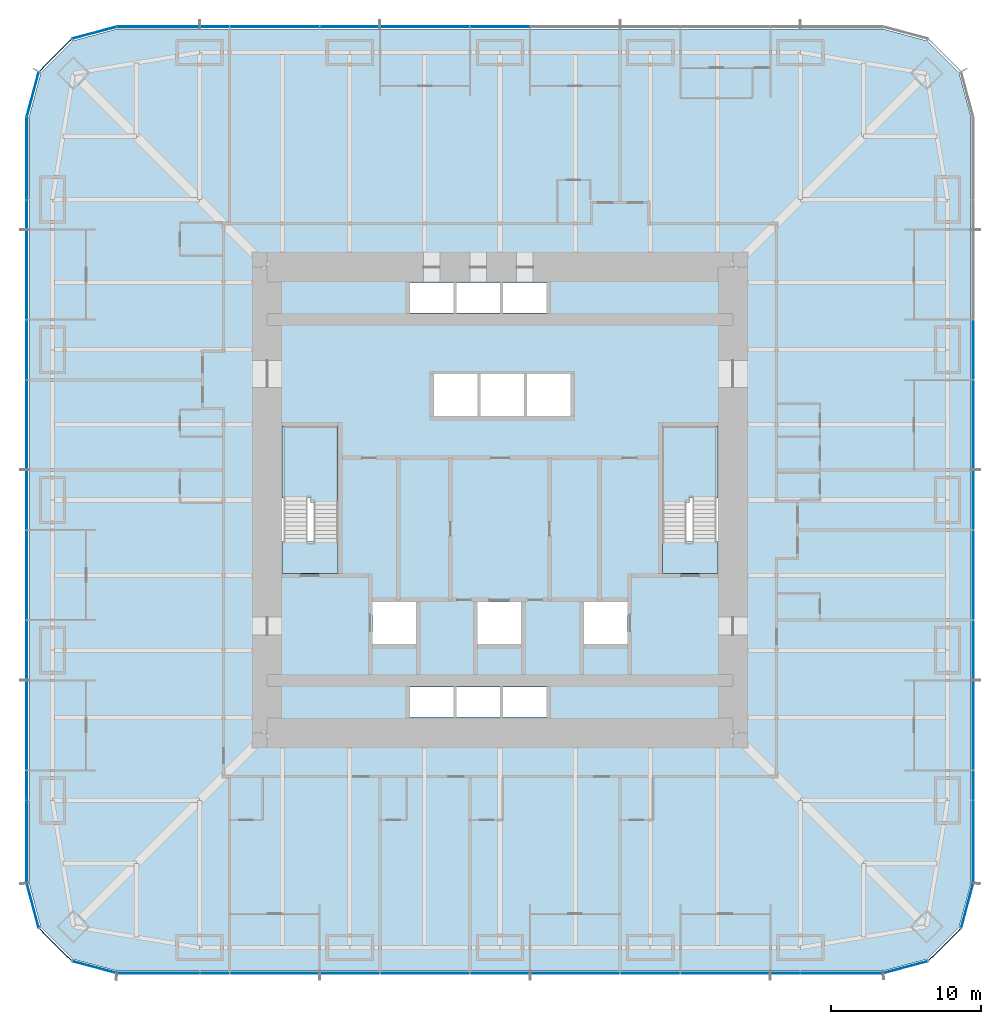
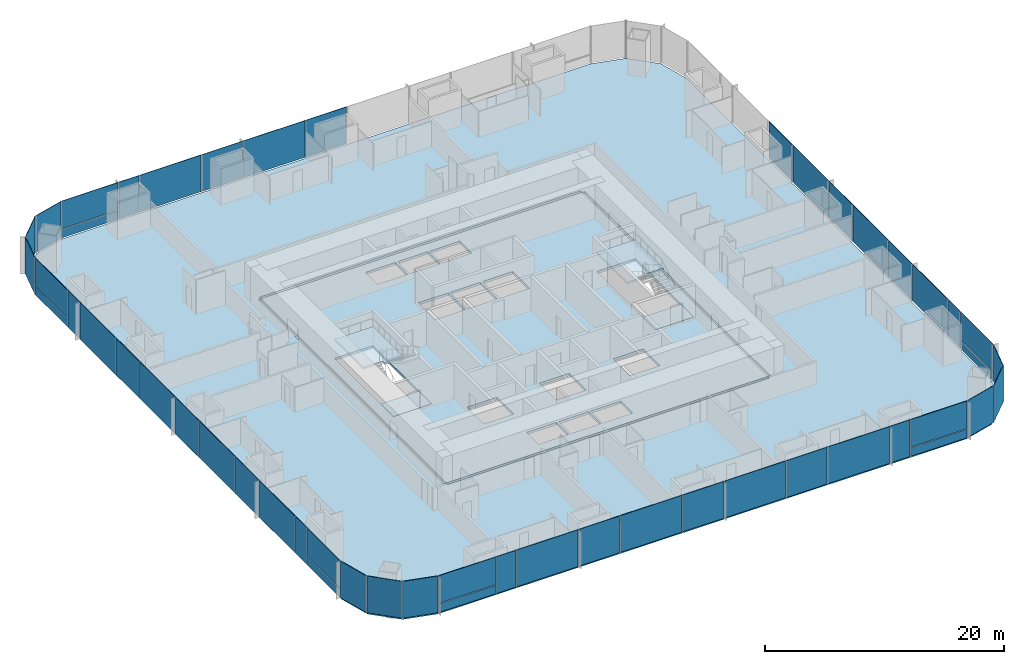
# One storey, part 10 of 16: 51 plates, 6 slabs, 9 elements without a shape of their own.
"""IFC4 building model written with IfcOpenShell, lengths in metres."""

from ifc_helpers import new_model, si_unit, direction, frame, origin, origin_2d, place, context, subcontext, project, spatial, polyline, rectangle, outline, extrude, material, layer, layer_set, type_object, element, aggregate, save


model = new_model("IFC4")

# Units and contexts
model_context = context("Model", 3, precision=1e-05, world=origin(), true_north=direction((0.0, 1.0)))
body_context = subcontext(model_context, "Body", "Model", "MODEL_VIEW")
ifc_project = project(units=[si_unit("LENGTHUNIT", "METRE"), si_unit("AREAUNIT", "SQUARE_METRE"), si_unit("VOLUMEUNIT", "CUBIC_METRE"), si_unit("PLANEANGLEUNIT", "RADIAN"), si_unit("MASSUNIT", "GRAM", prefix="KILO")], contexts=[model_context])

# Site, building, storey
site_placement = place(None, origin())
site = spatial("IfcSite", under=ifc_project, at=site_placement, CompositionType="ELEMENT")
building_placement = place(site_placement, origin())
building = spatial("IfcBuilding", under=site, at=building_placement, Name="Khuree Lantern Residences", CompositionType="ELEMENT")
storey_placement = place(building_placement, frame((0.0, 0.0, 62.25)))
storey = spatial("IfcBuildingStorey", under=building, at=storey_placement, Name="L15", CompositionType="ELEMENT", Elevation=62.25)

# Slab
ifc_material_1 = material(Name="Concrete C35/45", Category="concrete")
ifc_layer_1 = layer(ifc_material_1, 0.25)
ifc_layer_set_1 = layer_set([ifc_layer_1], Name="CFL250 CORE FLOOR SLAB 250")
slab_type_1 = type_object("IfcSlabType", Name="CFL250 CORE FLOOR SLAB 250", PredefinedType="FLOOR", material=ifc_layer_set_1)
slab_1_placement = place(storey_placement, frame((0.0, 0.0, -0.25)))
element("IfcSlab", 1, at=slab_1_placement, inside=storey, type_object=slab_type_1, Name="Core floor L15", PredefinedType="FLOOR", context=body_context, shape_type="SweptSolid", body=[
    extrude(outline(polyline([(-15.5, -15.5), (-15.5, 15.5), (15.5, 15.5), (15.5, -15.5), (-15.5, -15.5)]), holes=[polyline([(14.5, 4.89990234375), (10.800048828125, 4.89990234375), (10.800048828125, -4.89990234375), (14.5, -4.89990234375), (14.5, 4.89990234375)]), polyline([(8.5, -6.800048828125), (5.60009765625, -6.800048828125), (5.60009765625, -9.60009765625), (8.5, -9.60009765625), (8.5, -6.800048828125)]), polyline([(4.699951171875, 8.39990234375), (1.800048828125, 8.39990234375), (1.800048828125, 5.60009765625), (4.699951171875, 5.60009765625), (4.699951171875, 8.39990234375)]), polyline([(0.199951171875, -12.449951171875), (0.199951171875, -14.449951171875), (3.10009765625, -14.449951171875), (3.10009765625, -12.449951171875), (0.199951171875, -12.449951171875)]), polyline([(3.10009765625, 14.449951171875), (0.199951171875, 14.449951171875), (0.199951171875, 12.449951171875), (3.10009765625, 12.449951171875), (3.10009765625, 14.449951171875)]), polyline([(1.60009765625, 8.39990234375), (-1.300048828125, 8.39990234375), (-1.300048828125, 5.60009765625), (1.60009765625, 5.60009765625), (1.60009765625, 8.39990234375)]), polyline([(1.39990234375, -6.800048828125), (-1.5, -6.800048828125), (-1.5, -9.60009765625), (1.39990234375, -9.60009765625), (1.39990234375, -6.800048828125)]), polyline([(0.0, -12.449951171875), (-2.89990234375, -12.449951171875), (-2.89990234375, -14.449951171875), (0.0, -14.449951171875), (0.0, -12.449951171875)]), polyline([(0.0, 14.449951171875), (-2.89990234375, 14.449951171875), (-2.89990234375, 12.449951171875), (0.0, 12.449951171875), (0.0, 14.449951171875)]), polyline([(-1.5, 8.39990234375), (-4.39990234375, 8.39990234375), (-4.39990234375, 5.60009765625), (-1.5, 5.60009765625), (-1.5, 8.39990234375)]), polyline([(-6.0, -12.449951171875), (-6.0, -14.449951171875), (-3.10009765625, -14.449951171875), (-3.10009765625, -12.449951171875), (-6.0, -12.449951171875)]), polyline([(-3.10009765625, 14.449951171875), (-6.0, 14.449951171875), (-6.0, 12.449951171875), (-3.10009765625, 12.449951171875), (-3.10009765625, 14.449951171875)]), polyline([(-5.60009765625, -6.800048828125), (-8.5, -6.800048828125), (-8.5, -9.60009765625), (-5.60009765625, -9.60009765625), (-5.60009765625, -6.800048828125)]), polyline([(-10.800048828125, 4.89990234375), (-14.5, 4.89990234375), (-14.5, -4.89990234375), (-10.800048828125, -4.89990234375), (-10.800048828125, 4.89990234375)])]), origin(), (0.0, 0.0, 1.0), 0.25),
])

# Curtain wall, plates
ifc_material_2 = material(Name="Bronze anodised aluminium", Category="aluminium")
curtain_wall_type_1 = type_object("IfcCurtainWallType", Name="CW-T2 TOWER CORNER CURTAIN WALL", PredefinedType="USERDEFINED", material=ifc_material_2)
curtain_wall_1_placement = place(storey_placement, origin())
curtain_wall_1 = element("IfcCurtainWall", 2, at=curtain_wall_1_placement, inside=storey, type_object=curtain_wall_type_1, Name="L15 SOUTH-EAST CORNER CURTAIN WALL", ObjectType="Faceted corner curtain wall", PredefinedType="USERDEFINED")
ifc_material_3 = material(Name="Bronze tinted triple glazing", Category="glass")
ifc_layer_2 = layer(ifc_material_3, 0.048095703125)
ifc_layer_set_2 = layer_set([ifc_layer_2], Name="FACET PANEL P4")
plate_type_1 = type_object("IfcPlateType", Name="FACET PANEL P4", PredefinedType="CURTAIN_PANEL", material=ifc_layer_set_2)
plate_1_placement = place(storey_placement, frame((26.998046875, -31.0986328125, 0.0), z_axis=(0.0, 0.0, 1.0), x_axis=(0.965925792265, 0.258819172081, 0.0)))
plate_1 = element("IfcPlate", 3, at=plate_1_placement, type_object=plate_type_1, Name="L15 SOUTH-EAST CORNER PANEL 1.1", PredefinedType="CURTAIN_PANEL", context=body_context, shape_type="SweptSolid", body=[
    extrude(rectangle(XDim=3.02978515625, YDim=0.048095703125, at=origin_2d()), origin(), (0.0, 0.0, 1.0), 3.75),
])
plate_2_placement = place(storey_placement, frame((29.59814453125, -29.59814453125, 0.0), z_axis=(0.0, 0.0, 1.0), x_axis=(0.707106781187, 0.707106781187, 0.0)))
plate_2 = element("IfcPlate", 4, at=plate_2_placement, type_object=plate_type_1, Name="L15 SOUTH-EAST CORNER PANEL 2.1", PredefinedType="CURTAIN_PANEL", context=body_context, shape_type="SweptSolid", body=[
    extrude(rectangle(XDim=3.025634765625, YDim=0.048095703125, at=origin_2d()), origin(), (0.0, 0.0, 1.0), 3.75),
])
plate_3_placement = place(storey_placement, frame((31.0986328125, -26.998046875, 0.0), z_axis=(0.0, 0.0, 1.0), x_axis=(0.258819172081, 0.965925792265, 0.0)))
plate_3 = element("IfcPlate", 5, at=plate_3_placement, type_object=plate_type_1, Name="L15 SOUTH-EAST CORNER PANEL 3.1", PredefinedType="CURTAIN_PANEL", context=body_context, shape_type="SweptSolid", body=[
    extrude(rectangle(XDim=3.02978515625, YDim=0.048095703125, at=origin_2d()), origin(), (0.0, 0.0, 1.0), 3.75),
])
aggregate(curtain_wall_1, [plate_1, plate_2, plate_3])

curtain_wall_2_placement = place(storey_placement, origin())
curtain_wall_2 = element("IfcCurtainWall", 6, at=curtain_wall_2_placement, inside=storey, type_object=curtain_wall_type_1, Name="L15 NORTH-WEST CORNER CURTAIN WALL", ObjectType="Faceted corner curtain wall", PredefinedType="USERDEFINED")
plate_4_placement = place(storey_placement, frame((-26.998046875, 31.0986328125, 0.0), z_axis=(0.0, 0.0, 1.0), x_axis=(-0.965925792265, -0.258819172081, 0.0)))
plate_4 = element("IfcPlate", 7, at=plate_4_placement, type_object=plate_type_1, Name="L15 NORTH-WEST CORNER PANEL 29.1", PredefinedType="CURTAIN_PANEL", context=body_context, shape_type="SweptSolid", body=[
    extrude(rectangle(XDim=3.02978515625, YDim=0.048095703125, at=origin_2d()), origin(), (0.0, 0.0, 1.0), 3.75),
])
plate_5_placement = place(storey_placement, frame((-29.59814453125, 29.59814453125, 0.0), z_axis=(0.0, 0.0, 1.0), x_axis=(-0.707106781187, -0.707106781187, 0.0)))
plate_5 = element("IfcPlate", 8, at=plate_5_placement, type_object=plate_type_1, Name="L15 NORTH-WEST CORNER PANEL 30.1", PredefinedType="CURTAIN_PANEL", context=body_context, shape_type="SweptSolid", body=[
    extrude(rectangle(XDim=3.025634765625, YDim=0.048095703125, at=origin_2d()), origin(), (0.0, 0.0, 1.0), 3.75),
])
plate_6_placement = place(storey_placement, frame((-31.0986328125, 26.998046875, 0.0), z_axis=(0.0, 0.0, 1.0), x_axis=(-0.258819172081, -0.965925792265, 0.0)))
plate_6 = element("IfcPlate", 9, at=plate_6_placement, type_object=plate_type_1, Name="L15 NORTH-WEST CORNER PANEL 31.1", PredefinedType="CURTAIN_PANEL", context=body_context, shape_type="SweptSolid", body=[
    extrude(rectangle(XDim=3.02978515625, YDim=0.048095703125, at=origin_2d()), origin(), (0.0, 0.0, 1.0), 3.75),
])
aggregate(curtain_wall_2, [plate_4, plate_5, plate_6])

curtain_wall_3_placement = place(storey_placement, origin())
curtain_wall_3 = element("IfcCurtainWall", 10, at=curtain_wall_3_placement, inside=storey, type_object=curtain_wall_type_1, Name="L15 SOUTH-WEST CORNER CURTAIN WALL", ObjectType="Faceted corner curtain wall", PredefinedType="USERDEFINED")
plate_7_placement = place(storey_placement, frame((-31.0986328125, -26.998046875, 0.0), z_axis=(0.0, 0.0, 1.0), x_axis=(0.258819172081, -0.965925792265, 0.0)))
plate_7 = element("IfcPlate", 11, at=plate_7_placement, type_object=plate_type_1, Name="L15 SOUTH-WEST CORNER PANEL 43.1", PredefinedType="CURTAIN_PANEL", context=body_context, shape_type="SweptSolid", body=[
    extrude(rectangle(XDim=3.02978515625, YDim=0.048095703125, at=origin_2d()), origin(), (0.0, 0.0, 1.0), 3.75),
])
plate_8_placement = place(storey_placement, frame((-29.59814453125, -29.59814453125, 0.0), z_axis=(0.0, 0.0, 1.0), x_axis=(0.707106781187, -0.707106781187, 0.0)))
plate_8 = element("IfcPlate", 12, at=plate_8_placement, type_object=plate_type_1, Name="L15 SOUTH-WEST CORNER PANEL 44.1", PredefinedType="CURTAIN_PANEL", context=body_context, shape_type="SweptSolid", body=[
    extrude(rectangle(XDim=3.025634765625, YDim=0.048095703125, at=origin_2d()), origin(), (0.0, 0.0, 1.0), 3.75),
])
plate_9_placement = place(storey_placement, frame((-26.998046875, -31.0986328125, 0.0), z_axis=(0.0, 0.0, 1.0), x_axis=(0.965925792265, -0.258819172081, 0.0)))
plate_9 = element("IfcPlate", 13, at=plate_9_placement, type_object=plate_type_1, Name="L15 SOUTH-WEST CORNER PANEL 45.1", PredefinedType="CURTAIN_PANEL", context=body_context, shape_type="SweptSolid", body=[
    extrude(rectangle(XDim=3.02978515625, YDim=0.048095703125, at=origin_2d()), origin(), (0.0, 0.0, 1.0), 3.75),
])
aggregate(curtain_wall_3, [plate_7, plate_8, plate_9])

curtain_wall_type_2 = type_object("IfcCurtainWallType", Name="CW-T1 TOWER FACE CURTAIN WALL", PredefinedType="USERDEFINED", material=ifc_material_2)
curtain_wall_4_placement = place(storey_placement, origin())
curtain_wall_4 = element("IfcCurtainWall", 14, at=curtain_wall_4_placement, inside=storey, type_object=curtain_wall_type_2, Name="L15 EAST FACE CURTAIN WALL", ObjectType="Stick-built curtain wall", PredefinedType="USERDEFINED")
ifc_material_4 = material(Name="Bronze tinted triple glazing with a ceramic-fritted spandrel band", Category="glass")
ifc_layer_3 = layer(ifc_material_4, 0.048095703125)
ifc_layer_set_3 = layer_set([ifc_layer_3], Name="FIXED LIGHT PANEL P11")
plate_type_2 = type_object("IfcPlateType", Name="FIXED LIGHT PANEL P11", PredefinedType="CURTAIN_PANEL", material=ifc_layer_set_3)
plate_10_placement = place(storey_placement, frame((31.5, -15.0, 0.0), z_axis=(0.0, 0.0, 1.0), x_axis=(0.0, 1.0, 0.0)))
plate_10 = element("IfcPlate", 15, at=plate_10_placement, type_object=plate_type_2, Name="L15 EAST FACE PANEL 6.1", PredefinedType="CURTAIN_PANEL", context=body_context, shape_type="SweptSolid", body=[
    extrude(rectangle(XDim=5.93505859375, YDim=0.048095703125, at=origin_2d()), origin(), (0.0, 0.0, 1.0), 3.75),
])
plate_11_placement = place(storey_placement, frame((31.5, -5.0, 0.0), z_axis=(0.0, 0.0, 1.0), x_axis=(0.0, 1.0, 0.0)))
plate_11 = element("IfcPlate", 16, at=plate_11_placement, type_object=plate_type_2, Name="L15 EAST FACE PANEL 8.1", PredefinedType="CURTAIN_PANEL", context=body_context, shape_type="SweptSolid", body=[
    extrude(rectangle(XDim=5.93505859375, YDim=0.048095703125, at=origin_2d()), origin(), (0.0, 0.0, 1.0), 3.75),
])
plate_12_placement = place(storey_placement, frame((31.5, 5.0, 0.0), z_axis=(0.0, 0.0, 1.0), x_axis=(0.0, 1.0, 0.0)))
plate_12 = element("IfcPlate", 17, at=plate_12_placement, type_object=plate_type_2, Name="L15 EAST FACE PANEL 10.1", PredefinedType="CURTAIN_PANEL", context=body_context, shape_type="SweptSolid", body=[
    extrude(rectangle(XDim=5.93505859375, YDim=0.048095703125, at=origin_2d()), origin(), (0.0, 0.0, 1.0), 3.75),
])

curtain_wall_5_placement = place(storey_placement, origin())
curtain_wall_5 = element("IfcCurtainWall", 18, at=curtain_wall_5_placement, inside=storey, type_object=curtain_wall_type_2, Name="L15 NORTH FACE CURTAIN WALL", ObjectType="Stick-built curtain wall", PredefinedType="USERDEFINED")
plate_13_placement = place(storey_placement, frame((-5.0, 31.5, 0.0), z_axis=(0.0, 0.0, 1.0), x_axis=(-1.0, 0.0, 0.0)))
plate_13 = element("IfcPlate", 19, at=plate_13_placement, type_object=plate_type_2, Name="L15 NORTH FACE PANEL 24.1", PredefinedType="CURTAIN_PANEL", context=body_context, shape_type="SweptSolid", body=[
    extrude(rectangle(XDim=5.93505859375, YDim=0.048095703125, at=origin_2d()), origin(), (0.0, 0.0, 1.0), 3.75),
])
plate_14_placement = place(storey_placement, frame((-15.0, 31.5, 0.0), z_axis=(0.0, 0.0, 1.0), x_axis=(-1.0, 0.0, 0.0)))
plate_14 = element("IfcPlate", 20, at=plate_14_placement, type_object=plate_type_2, Name="L15 NORTH FACE PANEL 26.1", PredefinedType="CURTAIN_PANEL", context=body_context, shape_type="SweptSolid", body=[
    extrude(rectangle(XDim=5.93505859375, YDim=0.048095703125, at=origin_2d()), origin(), (0.0, 0.0, 1.0), 3.75),
])

curtain_wall_6_placement = place(storey_placement, origin())
curtain_wall_6 = element("IfcCurtainWall", 21, at=curtain_wall_6_placement, inside=storey, type_object=curtain_wall_type_2, Name="L15 WEST FACE CURTAIN WALL", ObjectType="Stick-built curtain wall", PredefinedType="USERDEFINED")
plate_15_placement = place(storey_placement, frame((-31.5, 15.0, 0.0), z_axis=(0.0, 0.0, 1.0), x_axis=(0.0, -1.0, 0.0)))
plate_15 = element("IfcPlate", 22, at=plate_15_placement, type_object=plate_type_2, Name="L15 WEST FACE PANEL 34.1", PredefinedType="CURTAIN_PANEL", context=body_context, shape_type="SweptSolid", body=[
    extrude(rectangle(XDim=5.93505859375, YDim=0.048095703125, at=origin_2d()), origin(), (0.0, 0.0, 1.0), 3.75),
])
plate_16_placement = place(storey_placement, frame((-31.5, 5.0, 0.0), z_axis=(0.0, 0.0, 1.0), x_axis=(0.0, -1.0, 0.0)))
plate_16 = element("IfcPlate", 23, at=plate_16_placement, type_object=plate_type_2, Name="L15 WEST FACE PANEL 36.1", PredefinedType="CURTAIN_PANEL", context=body_context, shape_type="SweptSolid", body=[
    extrude(rectangle(XDim=5.93505859375, YDim=0.048095703125, at=origin_2d()), origin(), (0.0, 0.0, 1.0), 3.75),
])
plate_17_placement = place(storey_placement, frame((-31.5, -5.0, 0.0), z_axis=(0.0, 0.0, 1.0), x_axis=(0.0, -1.0, 0.0)))
plate_17 = element("IfcPlate", 24, at=plate_17_placement, type_object=plate_type_2, Name="L15 WEST FACE PANEL 38.1", PredefinedType="CURTAIN_PANEL", context=body_context, shape_type="SweptSolid", body=[
    extrude(rectangle(XDim=5.93505859375, YDim=0.048095703125, at=origin_2d()), origin(), (0.0, 0.0, 1.0), 3.75),
])
plate_18_placement = place(storey_placement, frame((-31.5, -15.0, 0.0), z_axis=(0.0, 0.0, 1.0), x_axis=(0.0, -1.0, 0.0)))
plate_18 = element("IfcPlate", 25, at=plate_18_placement, type_object=plate_type_2, Name="L15 WEST FACE PANEL 40.1", PredefinedType="CURTAIN_PANEL", context=body_context, shape_type="SweptSolid", body=[
    extrude(rectangle(XDim=5.93505859375, YDim=0.048095703125, at=origin_2d()), origin(), (0.0, 0.0, 1.0), 3.75),
])

curtain_wall_7_placement = place(storey_placement, origin())
curtain_wall_7 = element("IfcCurtainWall", 26, at=curtain_wall_7_placement, inside=storey, type_object=curtain_wall_type_2, Name="L15 SOUTH FACE CURTAIN WALL", ObjectType="Stick-built curtain wall", PredefinedType="USERDEFINED")
plate_19_placement = place(storey_placement, frame((-15.0, -31.5, 0.0), z_axis=(0.0, 0.0, 1.0), x_axis=(1.0, 0.0, 0.0)))
plate_19 = element("IfcPlate", 27, at=plate_19_placement, type_object=plate_type_2, Name="L15 SOUTH FACE PANEL 48.1", PredefinedType="CURTAIN_PANEL", context=body_context, shape_type="SweptSolid", body=[
    extrude(rectangle(XDim=5.93505859375, YDim=0.048095703125, at=origin_2d()), origin(), (0.0, 0.0, 1.0), 3.75),
])
plate_20_placement = place(storey_placement, frame((-5.0, -31.5, 0.0), z_axis=(0.0, 0.0, 1.0), x_axis=(1.0, 0.0, 0.0)))
plate_20 = element("IfcPlate", 28, at=plate_20_placement, type_object=plate_type_2, Name="L15 SOUTH FACE PANEL 50.1", PredefinedType="CURTAIN_PANEL", context=body_context, shape_type="SweptSolid", body=[
    extrude(rectangle(XDim=5.93505859375, YDim=0.048095703125, at=origin_2d()), origin(), (0.0, 0.0, 1.0), 3.75),
])
plate_21_placement = place(storey_placement, frame((5.0, -31.5, 0.0), z_axis=(0.0, 0.0, 1.0), x_axis=(1.0, 0.0, 0.0)))
plate_21 = element("IfcPlate", 29, at=plate_21_placement, type_object=plate_type_2, Name="L15 SOUTH FACE PANEL 52.1", PredefinedType="CURTAIN_PANEL", context=body_context, shape_type="SweptSolid", body=[
    extrude(rectangle(XDim=5.93505859375, YDim=0.048095703125, at=origin_2d()), origin(), (0.0, 0.0, 1.0), 3.75),
])
plate_22_placement = place(storey_placement, frame((15.0, -31.5, 0.0), z_axis=(0.0, 0.0, 1.0), x_axis=(1.0, 0.0, 0.0)))
plate_22 = element("IfcPlate", 30, at=plate_22_placement, type_object=plate_type_2, Name="L15 SOUTH FACE PANEL 54.1", PredefinedType="CURTAIN_PANEL", context=body_context, shape_type="SweptSolid", body=[
    extrude(rectangle(XDim=5.93505859375, YDim=0.048095703125, at=origin_2d()), origin(), (0.0, 0.0, 1.0), 3.75),
])

# Slab
ifc_layer_4 = layer(ifc_material_1, 0.25)
ifc_layer_set_4 = layer_set([ifc_layer_4], Name="FS250 FLOOR SLAB 250")
slab_type_2 = type_object("IfcSlabType", Name="FS250 FLOOR SLAB 250", PredefinedType="FLOOR", material=ifc_layer_set_4)
slab_2_placement = place(storey_placement, frame((0.0, 0.0, -0.25)))
element("IfcSlab", 31, at=slab_2_placement, inside=storey, type_object=slab_type_2, Name="Floor slab L15", PredefinedType="FLOOR", context=body_context, shape_type="SweptSolid", body=[
    extrude(outline(polyline([(-28.425048828125, -30.566162109375), (-30.566162109375, -28.425048828125), (-31.35009765625, -25.5), (-31.35009765625, 25.5), (-30.566162109375, 28.425048828125), (-28.425048828125, 30.566162109375), (-25.5, 31.35009765625), (25.5, 31.35009765625), (28.425048828125, 30.566162109375), (30.566162109375, 28.425048828125), (31.35009765625, 25.5), (31.35009765625, -25.5), (30.566162109375, -28.425048828125), (28.425048828125, -30.566162109375), (25.5, -31.35009765625), (-25.5, -31.35009765625), (-28.425048828125, -30.566162109375)]), holes=[polyline([(15.75, 15.5), (15.5, 15.5), (15.5, 15.75), (-15.5, 15.75), (-15.5, 15.5), (-15.75, 15.5), (-15.75, -15.5), (-15.5, -15.5), (-15.5, -15.75), (15.5, -15.75), (15.5, -15.5), (15.75, -15.5), (15.75, 15.5)])]), origin(), (0.0, 0.0, 1.0), 0.25),
])

# Plate
ifc_material_5 = material(Name="Bronze tinted triple glazing, two aluminium-framed sashes in one frame", Category="aluminium")
ifc_layer_5 = layer(ifc_material_5, 0.048095703125)
ifc_layer_set_5 = layer_set([ifc_layer_5], Name="SASH PAIR PANEL P12")
plate_type_3 = type_object("IfcPlateType", Name="SASH PAIR PANEL P12", PredefinedType="CURTAIN_PANEL", material=ifc_layer_set_5)
plate_23_placement = place(storey_placement, frame((31.5, -10.0, 0.0), z_axis=(0.0, 0.0, 1.0), x_axis=(0.0, 1.0, 0.0)))
plate_23 = element("IfcPlate", 32, at=plate_23_placement, type_object=plate_type_3, Name="L15 EAST FACE PANEL 7.1", PredefinedType="CURTAIN_PANEL", context=body_context, shape_type="SweptSolid", body=[
    extrude(rectangle(XDim=3.93505859375, YDim=0.048095703125, at=origin_2d()), origin(), (0.0, 0.0, 1.0), 3.75),
])

plate_24_placement = place(storey_placement, frame((31.5, 0.0, 0.0), z_axis=(0.0, 0.0, 1.0), x_axis=(0.0, 1.0, 0.0)))
plate_24 = element("IfcPlate", 33, at=plate_24_placement, type_object=plate_type_3, Name="L15 EAST FACE PANEL 9.1", PredefinedType="CURTAIN_PANEL", context=body_context, shape_type="SweptSolid", body=[
    extrude(rectangle(XDim=3.93505859375, YDim=0.048095703125, at=origin_2d()), origin(), (0.0, 0.0, 1.0), 3.75),
])

plate_25_placement = place(storey_placement, frame((31.5, 10.0, 0.0), z_axis=(0.0, 0.0, 1.0), x_axis=(0.0, 1.0, 0.0)))
plate_25 = element("IfcPlate", 34, at=plate_25_placement, type_object=plate_type_3, Name="L15 EAST FACE PANEL 11.1", PredefinedType="CURTAIN_PANEL", context=body_context, shape_type="SweptSolid", body=[
    extrude(rectangle(XDim=3.93505859375, YDim=0.048095703125, at=origin_2d()), origin(), (0.0, 0.0, 1.0), 3.75),
])

plate_26_placement = place(storey_placement, frame((0.0, 31.5, 0.0), z_axis=(0.0, 0.0, 1.0), x_axis=(-1.0, 0.0, 0.0)))
plate_26 = element("IfcPlate", 35, at=plate_26_placement, type_object=plate_type_3, Name="L15 NORTH FACE PANEL 23.1", PredefinedType="CURTAIN_PANEL", context=body_context, shape_type="SweptSolid", body=[
    extrude(rectangle(XDim=3.93505859375, YDim=0.048095703125, at=origin_2d()), origin(), (0.0, 0.0, 1.0), 3.75),
])

plate_27_placement = place(storey_placement, frame((-10.0, 31.5, 0.0), z_axis=(0.0, 0.0, 1.0), x_axis=(-1.0, 0.0, 0.0)))
plate_27 = element("IfcPlate", 36, at=plate_27_placement, type_object=plate_type_3, Name="L15 NORTH FACE PANEL 25.1", PredefinedType="CURTAIN_PANEL", context=body_context, shape_type="SweptSolid", body=[
    extrude(rectangle(XDim=3.93505859375, YDim=0.048095703125, at=origin_2d()), origin(), (0.0, 0.0, 1.0), 3.75),
])

plate_28_placement = place(storey_placement, frame((-31.5, 10.0, 0.0), z_axis=(0.0, 0.0, 1.0), x_axis=(0.0, -1.0, 0.0)))
plate_28 = element("IfcPlate", 37, at=plate_28_placement, type_object=plate_type_3, Name="L15 WEST FACE PANEL 35.1", PredefinedType="CURTAIN_PANEL", context=body_context, shape_type="SweptSolid", body=[
    extrude(rectangle(XDim=3.93505859375, YDim=0.048095703125, at=origin_2d()), origin(), (0.0, 0.0, 1.0), 3.75),
])

plate_29_placement = place(storey_placement, frame((-31.5, 0.0, 0.0), z_axis=(0.0, 0.0, 1.0), x_axis=(0.0, -1.0, 0.0)))
plate_29 = element("IfcPlate", 38, at=plate_29_placement, type_object=plate_type_3, Name="L15 WEST FACE PANEL 37.1", PredefinedType="CURTAIN_PANEL", context=body_context, shape_type="SweptSolid", body=[
    extrude(rectangle(XDim=3.93505859375, YDim=0.048095703125, at=origin_2d()), origin(), (0.0, 0.0, 1.0), 3.75),
])

plate_30_placement = place(storey_placement, frame((-31.5, -10.0, 0.0), z_axis=(0.0, 0.0, 1.0), x_axis=(0.0, -1.0, 0.0)))
plate_30 = element("IfcPlate", 39, at=plate_30_placement, type_object=plate_type_3, Name="L15 WEST FACE PANEL 39.1", PredefinedType="CURTAIN_PANEL", context=body_context, shape_type="SweptSolid", body=[
    extrude(rectangle(XDim=3.93505859375, YDim=0.048095703125, at=origin_2d()), origin(), (0.0, 0.0, 1.0), 3.75),
])

plate_31_placement = place(storey_placement, frame((-10.0, -31.5, 0.0), z_axis=(0.0, 0.0, 1.0), x_axis=(1.0, 0.0, 0.0)))
plate_31 = element("IfcPlate", 40, at=plate_31_placement, type_object=plate_type_3, Name="L15 SOUTH FACE PANEL 49.1", PredefinedType="CURTAIN_PANEL", context=body_context, shape_type="SweptSolid", body=[
    extrude(rectangle(XDim=3.93505859375, YDim=0.048095703125, at=origin_2d()), origin(), (0.0, 0.0, 1.0), 3.75),
])

plate_32_placement = place(storey_placement, frame((0.0, -31.5, 0.0), z_axis=(0.0, 0.0, 1.0), x_axis=(1.0, 0.0, 0.0)))
plate_32 = element("IfcPlate", 41, at=plate_32_placement, type_object=plate_type_3, Name="L15 SOUTH FACE PANEL 51.1", PredefinedType="CURTAIN_PANEL", context=body_context, shape_type="SweptSolid", body=[
    extrude(rectangle(XDim=3.93505859375, YDim=0.048095703125, at=origin_2d()), origin(), (0.0, 0.0, 1.0), 3.75),
])

plate_33_placement = place(storey_placement, frame((10.0, -31.5, 0.0), z_axis=(0.0, 0.0, 1.0), x_axis=(1.0, 0.0, 0.0)))
plate_33 = element("IfcPlate", 42, at=plate_33_placement, type_object=plate_type_3, Name="L15 SOUTH FACE PANEL 53.1", PredefinedType="CURTAIN_PANEL", context=body_context, shape_type="SweptSolid", body=[
    extrude(rectangle(XDim=3.93505859375, YDim=0.048095703125, at=origin_2d()), origin(), (0.0, 0.0, 1.0), 3.75),
])

ifc_material_6 = material(Name="Bronze tinted triple glazing, aluminium-framed sash", Category="aluminium")
ifc_layer_6 = layer(ifc_material_6, 0.048095703125)
ifc_layer_set_6 = layer_set([ifc_layer_6], Name="SASH PANEL P3")
plate_type_4 = type_object("IfcPlateType", Name="SASH PANEL P3", PredefinedType="CURTAIN_PANEL", material=ifc_layer_set_6)
plate_34_placement = place(storey_placement, frame((31.5, -19.0, 0.0), z_axis=(0.0, 0.0, 1.0), x_axis=(0.0, 1.0, 0.0)))
plate_34 = element("IfcPlate", 43, at=plate_34_placement, type_object=plate_type_4, Name="L15 EAST FACE PANEL 5.1", PredefinedType="CURTAIN_PANEL", context=body_context, shape_type="SweptSolid", body=[
    extrude(rectangle(XDim=1.93505859375, YDim=0.048095703125, at=origin_2d()), origin(), (0.0, 0.0, 1.0), 3.75),
])

plate_35_placement = place(storey_placement, frame((-19.0, 31.5, 0.0), z_axis=(0.0, 0.0, 1.0), x_axis=(-1.0, 0.0, 0.0)))
plate_35 = element("IfcPlate", 44, at=plate_35_placement, type_object=plate_type_4, Name="L15 NORTH FACE PANEL 27.1", PredefinedType="CURTAIN_PANEL", context=body_context, shape_type="SweptSolid", body=[
    extrude(rectangle(XDim=1.93505859375, YDim=0.048095703125, at=origin_2d()), origin(), (0.0, 0.0, 1.0), 3.75),
])

plate_36_placement = place(storey_placement, frame((-31.5, 19.0, 0.0), z_axis=(0.0, 0.0, 1.0), x_axis=(0.0, -1.0, 0.0)))
plate_36 = element("IfcPlate", 45, at=plate_36_placement, type_object=plate_type_4, Name="L15 WEST FACE PANEL 33.1", PredefinedType="CURTAIN_PANEL", context=body_context, shape_type="SweptSolid", body=[
    extrude(rectangle(XDim=1.93505859375, YDim=0.048095703125, at=origin_2d()), origin(), (0.0, 0.0, 1.0), 3.75),
])

plate_37_placement = place(storey_placement, frame((-31.5, -19.0, 0.0), z_axis=(0.0, 0.0, 1.0), x_axis=(0.0, -1.0, 0.0)))
plate_37 = element("IfcPlate", 46, at=plate_37_placement, type_object=plate_type_4, Name="L15 WEST FACE PANEL 41.1", PredefinedType="CURTAIN_PANEL", context=body_context, shape_type="SweptSolid", body=[
    extrude(rectangle(XDim=1.93505859375, YDim=0.048095703125, at=origin_2d()), origin(), (0.0, 0.0, 1.0), 3.75),
])

plate_38_placement = place(storey_placement, frame((-19.0, -31.5, 0.0), z_axis=(0.0, 0.0, 1.0), x_axis=(1.0, 0.0, 0.0)))
plate_38 = element("IfcPlate", 47, at=plate_38_placement, type_object=plate_type_4, Name="L15 SOUTH FACE PANEL 47.1", PredefinedType="CURTAIN_PANEL", context=body_context, shape_type="SweptSolid", body=[
    extrude(rectangle(XDim=1.93505859375, YDim=0.048095703125, at=origin_2d()), origin(), (0.0, 0.0, 1.0), 3.75),
])

plate_39_placement = place(storey_placement, frame((19.0, -31.5, 0.0), z_axis=(0.0, 0.0, 1.0), x_axis=(1.0, 0.0, 0.0)))
plate_39 = element("IfcPlate", 48, at=plate_39_placement, type_object=plate_type_4, Name="L15 SOUTH FACE PANEL 55.1", PredefinedType="CURTAIN_PANEL", context=body_context, shape_type="SweptSolid", body=[
    extrude(rectangle(XDim=1.93505859375, YDim=0.048095703125, at=origin_2d()), origin(), (0.0, 0.0, 1.0), 3.75),
])

ifc_material_7 = material(Name="Bronze anodised aluminium insulated spandrel", Category="aluminium")
ifc_layer_7 = layer(ifc_material_7, 0.06005859375)
ifc_layer_set_7 = layer_set([ifc_layer_7], Name="SPANDREL PANEL P2")
plate_type_5 = type_object("IfcPlateType", Name="SPANDREL PANEL P2", PredefinedType="CURTAIN_PANEL", material=ifc_layer_set_7)
plate_40_placement = place(storey_placement, frame((31.5, -22.747802734375, 0.0), z_axis=(0.0, 0.0, 1.0), x_axis=(0.0, 1.0, 0.0)))
plate_40 = element("IfcPlate", 49, at=plate_40_placement, type_object=plate_type_5, Name="L15 EAST FACE PANEL 4.1", PredefinedType="CURTAIN_PANEL", context=body_context, shape_type="SweptSolid", body=[
    extrude(rectangle(XDim=5.4306640625, YDim=0.06005859375, at=origin_2d()), origin(), (0.0, 0.0, 1.0), 0.867431640625),
])

plate_41_placement = place(storey_placement, frame((-22.747802734375, 31.5, 0.0), z_axis=(0.0, 0.0, 1.0), x_axis=(-1.0, 0.0, 0.0)))
plate_41 = element("IfcPlate", 50, at=plate_41_placement, type_object=plate_type_5, Name="L15 NORTH FACE PANEL 28.1", PredefinedType="CURTAIN_PANEL", context=body_context, shape_type="SweptSolid", body=[
    extrude(rectangle(XDim=5.4306640625, YDim=0.06005859375, at=origin_2d()), origin(), (0.0, 0.0, 1.0), 0.867431640625),
])

plate_42_placement = place(storey_placement, frame((-31.5, 22.747802734375, 0.0), z_axis=(0.0, 0.0, 1.0), x_axis=(0.0, -1.0, 0.0)))
plate_42 = element("IfcPlate", 51, at=plate_42_placement, type_object=plate_type_5, Name="L15 WEST FACE PANEL 32.1", PredefinedType="CURTAIN_PANEL", context=body_context, shape_type="SweptSolid", body=[
    extrude(rectangle(XDim=5.4306640625, YDim=0.06005859375, at=origin_2d()), origin(), (0.0, 0.0, 1.0), 0.867431640625),
])

plate_43_placement = place(storey_placement, frame((-31.5, -22.747802734375, 0.0), z_axis=(0.0, 0.0, 1.0), x_axis=(0.0, -1.0, 0.0)))
plate_43 = element("IfcPlate", 52, at=plate_43_placement, type_object=plate_type_5, Name="L15 WEST FACE PANEL 42.1", PredefinedType="CURTAIN_PANEL", context=body_context, shape_type="SweptSolid", body=[
    extrude(rectangle(XDim=5.4306640625, YDim=0.06005859375, at=origin_2d()), origin(), (0.0, 0.0, 1.0), 0.867431640625),
])

plate_44_placement = place(storey_placement, frame((-22.747802734375, -31.5, 0.0), z_axis=(0.0, 0.0, 1.0), x_axis=(1.0, 0.0, 0.0)))
plate_44 = element("IfcPlate", 53, at=plate_44_placement, type_object=plate_type_5, Name="L15 SOUTH FACE PANEL 46.1", PredefinedType="CURTAIN_PANEL", context=body_context, shape_type="SweptSolid", body=[
    extrude(rectangle(XDim=5.4306640625, YDim=0.06005859375, at=origin_2d()), origin(), (0.0, 0.0, 1.0), 0.867431640625),
])

plate_45_placement = place(storey_placement, frame((22.747802734375, -31.5, 0.0), z_axis=(0.0, 0.0, 1.0), x_axis=(1.0, 0.0, 0.0)))
plate_45 = element("IfcPlate", 54, at=plate_45_placement, type_object=plate_type_5, Name="L15 SOUTH FACE PANEL 56.1", PredefinedType="CURTAIN_PANEL", context=body_context, shape_type="SweptSolid", body=[
    extrude(rectangle(XDim=5.4306640625, YDim=0.06005859375, at=origin_2d()), origin(), (0.0, 0.0, 1.0), 0.867431640625),
])

# Stair, slabs
ifc_material_8 = material(Name="Concrete C40/50", Category="concrete")
stair_type = type_object("IfcStairType", Name="STAIR ST1 HALF TURN 3600", PredefinedType="HALF_TURN_STAIR", material=ifc_material_8)
stair_1_placement = place(storey_placement, origin())
stair_1 = element("IfcStair", 55, at=stair_1_placement, inside=storey, type_object=stair_type, Name="Stair ST1", PredefinedType="HALF_TURN_STAIR")
ifc_layer_8 = layer(ifc_material_8, 0.199951171875)
ifc_layer_set_8 = layer_set([ifc_layer_8], Name="STAIR LANDING SL1 200")
slab_type_3 = type_object("IfcSlabType", Name="STAIR LANDING SL1 200", PredefinedType="LANDING", material=ifc_layer_set_8)
slab_3_placement = place(storey_placement, frame((0.0, 0.0, -0.199951171875)))
slab_3 = element("IfcSlab", 56, at=slab_3_placement, type_object=slab_type_3, Name="ST1 landing 1", PredefinedType="LANDING", context=body_context, shape_type="SweptSolid", body=[
    extrude(outline(polyline([(-14.5, -4.89990234375), (-10.800048828125, -4.89990234375), (-10.800048828125, -2.760009765625), (-14.5, -2.760009765625), (-14.5, -4.89990234375)])), origin(), (0.0, 0.0, 1.0), 0.199951171875),
])
slab_4_placement = place(storey_placement, frame((0.0, 0.0, 1.756591796875)))
slab_4 = element("IfcSlab", 57, at=slab_4_placement, type_object=slab_type_3, Name="ST1 landing 2", PredefinedType="LANDING", context=body_context, shape_type="SweptSolid", body=[
    extrude(outline(polyline([(-14.5, 0.1201171875), (-14.5, 4.89990234375), (-10.800048828125, 4.89990234375), (-10.800048828125, -0.159912109375), (-12.60009765625, -0.159912109375), (-12.60009765625, 0.1201171875), (-14.5, 0.1201171875)])), origin(), (0.0, 0.0, 1.0), 0.199951171875),
])
aggregate(stair_1, [slab_3, slab_4])

stair_2_placement = place(storey_placement, origin())
stair_2 = element("IfcStair", 58, at=stair_2_placement, inside=storey, type_object=stair_type, Name="Stair ST2", PredefinedType="HALF_TURN_STAIR")
slab_5_placement = place(storey_placement, frame((0.0, 0.0, -0.199951171875)))
slab_5 = element("IfcSlab", 59, at=slab_5_placement, type_object=slab_type_3, Name="ST2 landing 1", PredefinedType="LANDING", context=body_context, shape_type="SweptSolid", body=[
    extrude(outline(polyline([(10.800048828125, -4.89990234375), (14.5, -4.89990234375), (14.5, -2.760009765625), (10.800048828125, -2.760009765625), (10.800048828125, -4.89990234375)])), origin(), (0.0, 0.0, 1.0), 0.199951171875),
])
slab_6_placement = place(storey_placement, frame((0.0, 0.0, 1.756591796875)))
slab_6 = element("IfcSlab", 60, at=slab_6_placement, type_object=slab_type_3, Name="ST2 landing 2", PredefinedType="LANDING", context=body_context, shape_type="SweptSolid", body=[
    extrude(outline(polyline([(14.5, 4.89990234375), (14.5, 0.1201171875), (12.60009765625, 0.1201171875), (12.60009765625, -0.159912109375), (10.800048828125, -0.159912109375), (10.800048828125, 4.89990234375), (14.5, 4.89990234375)])), origin(), (0.0, 0.0, 1.0), 0.199951171875),
])
aggregate(stair_2, [slab_5, slab_6])

# Plate
ifc_layer_9 = layer(ifc_material_3, 0.048095703125)
ifc_layer_set_9 = layer_set([ifc_layer_9], Name="VISION PANEL P1")
plate_type_6 = type_object("IfcPlateType", Name="VISION PANEL P1", PredefinedType="CURTAIN_PANEL", material=ifc_layer_set_9)
plate_46_placement = place(storey_placement, frame((31.5, -22.748291015625, 0.9326171875), z_axis=(0.0, 0.0, 1.0), x_axis=(0.0, 1.0, 0.0)))
plate_46 = element("IfcPlate", 61, at=plate_46_placement, type_object=plate_type_6, Name="L15 EAST FACE PANEL 4.2", PredefinedType="CURTAIN_PANEL", context=body_context, shape_type="SweptSolid", body=[
    extrude(rectangle(XDim=5.431640625, YDim=0.048095703125, at=origin_2d()), origin(), (0.0, 0.0, 1.0), 2.8173828125),
])

aggregate(curtain_wall_4, [plate_40, plate_46, plate_34, plate_10, plate_23, plate_11, plate_24, plate_12, plate_25])

plate_47_placement = place(storey_placement, frame((-22.748291015625, 31.5, 0.9326171875), z_axis=(0.0, 0.0, 1.0), x_axis=(-1.0, 0.0, 0.0)))
plate_47 = element("IfcPlate", 62, at=plate_47_placement, type_object=plate_type_6, Name="L15 NORTH FACE PANEL 28.2", PredefinedType="CURTAIN_PANEL", context=body_context, shape_type="SweptSolid", body=[
    extrude(rectangle(XDim=5.431640625, YDim=0.048095703125, at=origin_2d()), origin(), (0.0, 0.0, 1.0), 2.8173828125),
])

aggregate(curtain_wall_5, [plate_26, plate_13, plate_27, plate_14, plate_35, plate_41, plate_47])

plate_48_placement = place(storey_placement, frame((-31.5, 22.748291015625, 0.9326171875), z_axis=(0.0, 0.0, 1.0), x_axis=(0.0, -1.0, 0.0)))
plate_48 = element("IfcPlate", 63, at=plate_48_placement, type_object=plate_type_6, Name="L15 WEST FACE PANEL 32.2", PredefinedType="CURTAIN_PANEL", context=body_context, shape_type="SweptSolid", body=[
    extrude(rectangle(XDim=5.431640625, YDim=0.048095703125, at=origin_2d()), origin(), (0.0, 0.0, 1.0), 2.8173828125),
])

plate_49_placement = place(storey_placement, frame((-31.5, -22.748291015625, 0.9326171875), z_axis=(0.0, 0.0, 1.0), x_axis=(0.0, -1.0, 0.0)))
plate_49 = element("IfcPlate", 64, at=plate_49_placement, type_object=plate_type_6, Name="L15 WEST FACE PANEL 42.2", PredefinedType="CURTAIN_PANEL", context=body_context, shape_type="SweptSolid", body=[
    extrude(rectangle(XDim=5.431640625, YDim=0.048095703125, at=origin_2d()), origin(), (0.0, 0.0, 1.0), 2.8173828125),
])

aggregate(curtain_wall_6, [plate_42, plate_48, plate_36, plate_15, plate_28, plate_16, plate_29, plate_17, plate_30, plate_18, plate_37, plate_43, plate_49])

plate_50_placement = place(storey_placement, frame((-22.748291015625, -31.5, 0.9326171875), z_axis=(0.0, 0.0, 1.0), x_axis=(1.0, 0.0, 0.0)))
plate_50 = element("IfcPlate", 65, at=plate_50_placement, type_object=plate_type_6, Name="L15 SOUTH FACE PANEL 46.2", PredefinedType="CURTAIN_PANEL", context=body_context, shape_type="SweptSolid", body=[
    extrude(rectangle(XDim=5.431640625, YDim=0.048095703125, at=origin_2d()), origin(), (0.0, 0.0, 1.0), 2.8173828125),
])

plate_51_placement = place(storey_placement, frame((22.748291015625, -31.5, 0.9326171875), z_axis=(0.0, 0.0, 1.0), x_axis=(1.0, 0.0, 0.0)))
plate_51 = element("IfcPlate", 66, at=plate_51_placement, type_object=plate_type_6, Name="L15 SOUTH FACE PANEL 56.2", PredefinedType="CURTAIN_PANEL", context=body_context, shape_type="SweptSolid", body=[
    extrude(rectangle(XDim=5.431640625, YDim=0.048095703125, at=origin_2d()), origin(), (0.0, 0.0, 1.0), 2.8173828125),
])

aggregate(curtain_wall_7, [plate_44, plate_50, plate_38, plate_19, plate_31, plate_20, plate_32, plate_21, plate_33, plate_22, plate_39, plate_45, plate_51])

save(model, "model.ifc")
